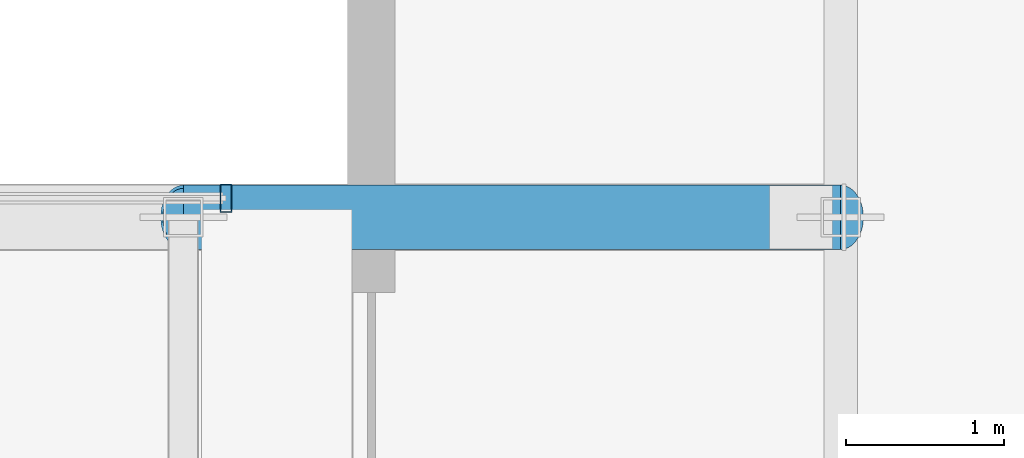
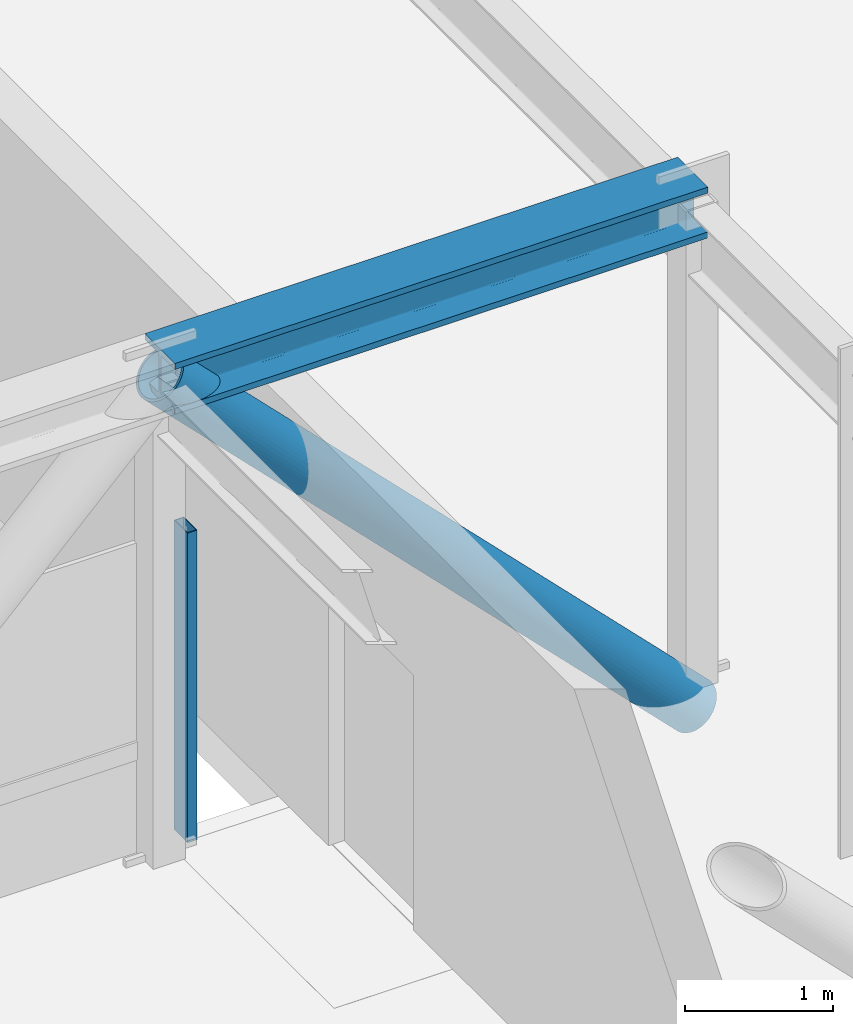
# One storey, part 12 of 42: 3 members, 1 element without a shape of its own.
"""IFC4 building model written with IfcOpenShell, lengths in metres."""

from ifc_helpers import new_model, si_unit, direction, frame, origin, origin_2d, place, context, subcontext, project, spatial, hollow_rectangle, hollow_circle, i_section, extrude, material, material_profile, profile_set, type_object, element, aggregate, save


model = new_model("IFC4")

# Units and contexts
model_context = context("Model", 3, precision=1e-05, world=origin(), true_north=direction((0.0, 1.0)))
body_context = subcontext(model_context, "Body", "Model", "MODEL_VIEW")
ifc_project = project(units=[si_unit("LENGTHUNIT", "METRE"), si_unit("AREAUNIT", "SQUARE_METRE"), si_unit("VOLUMEUNIT", "CUBIC_METRE"), si_unit("PLANEANGLEUNIT", "RADIAN"), si_unit("MASSUNIT", "GRAM", prefix="KILO")], contexts=[model_context])

# Site, building, storey
site_placement = place(None, origin())
site = spatial("IfcSite", under=ifc_project, at=site_placement, CompositionType="ELEMENT")
building_placement = place(site_placement, origin())
building = spatial("IfcBuilding", under=site, at=building_placement, Name="Thornwick Lancets Civic Towers", CompositionType="ELEMENT")
storey_placement = place(building_placement, frame((0.0, 0.0, 221.699951171875)))
storey = spatial("IfcBuildingStorey", under=building, at=storey_placement, Name="L59", CompositionType="ELEMENT", Elevation=221.699951171875)

# Curtain wall, member
ifc_material_1 = material(Name="Skybridge acoustic laminated-glass curtain wall", Category="glass")
curtain_wall_type = type_object("IfcCurtainWallType", Name="CW_SYS_06", PredefinedType="NOTDEFINED", material=ifc_material_1)
curtain_wall_placement = place(storey_placement, origin())
curtain_wall = element("IfcCurtainWall", 1, at=curtain_wall_placement, inside=storey, type_object=curtain_wall_type, Name="L59 Curtain Wall CW-L59-SKYBRIDGE-N", PredefinedType="NOTDEFINED")
ifc_material_2 = material(Name="Thermally broken bronze aluminium S355", Category="steel")
ifc_material_profile_1 = material_profile(ifc_material_2, hollow_rectangle(XDim=0.074951171875, YDim=0.179931640625, WallThickness=0.006103515625, at=origin_2d()), Name="RHS 180x75x6")
ifc_profile_set_1 = profile_set([ifc_material_profile_1], Name="Thermally broken bronze aluminium S355")
member_type_1 = type_object("IfcMemberType", Name="CW_MUL_180", PredefinedType="MULLION", material=ifc_profile_set_1)
member_1_placement = place(storey_placement, frame((63.820068359375, 29.6201171875, 0.0), z_axis=(0.0, 0.0, 1.0), x_axis=(1.0, 0.0, 0.0)))
member_1 = element("IfcMember", 2, at=member_1_placement, type_object=member_type_1, Name="CW-L59-SKYBRIDGE-N Mullion 0", PredefinedType="MULLION", context=body_context, shape_type="SweptSolid", body=[
    extrude(hollow_rectangle(XDim=0.074951171875, YDim=0.179931640625, WallThickness=0.006103515625, at=origin_2d()), origin(), (0.0, 0.0, 1.0), 2.550048828125),
])
aggregate(curtain_wall, [member_1])

# Members
ifc_material_3 = material(Name="Steel S460M", Category="steel")
ifc_material_profile_2 = material_profile(ifc_material_3, i_section(OverallWidth=0.406982421875, OverallDepth=0.4189453125, WebThickness=0.030517578125, FlangeThickness=0.04931640625, FilletRadius=0.01513671875, at=origin_2d()), Name="UKC 356x406x393")
ifc_profile_set_2 = profile_set([ifc_material_profile_2], Name="Steel S460M")
member_type_2 = type_object("IfcMemberType", Name="MEM_BRG_CHORD_393", PredefinedType="CHORD", material=ifc_profile_set_2)
member_2_placement = place(storey_placement, frame((63.550048828125, 29.5, 3.9599609375), z_axis=(1.0, 0.0, 0.0), x_axis=(0.0, 1.0, 0.0)))
element("IfcMember", 3, at=member_2_placement, inside=storey, type_object=member_type_2, Name="L59 Skybridge Top Chord 2-5", PredefinedType="CHORD", context=body_context, shape_type="SweptSolid", body=[
    extrude(i_section(OverallWidth=0.406982421875, OverallDepth=0.4189453125, WebThickness=0.030517578125, FlangeThickness=0.04931640625, FilletRadius=0.01513671875, at=origin_2d()), origin(), (0.0, 0.0, 1.0), 4.14990234375),
])
ifc_material_profile_3 = material_profile(ifc_material_3, hollow_circle(Radius=0.203125, WallThickness=0.02001953125, at=origin_2d()), Name="CHS 406.4x20")
ifc_profile_set_3 = profile_set([ifc_material_profile_3], Name="Steel S460M")
member_type_3 = type_object("IfcMemberType", Name="MEM_BRG_WEB_CHS406", PredefinedType="BRACE", material=ifc_profile_set_3)
member_3_placement = place(storey_placement, frame((63.550048828125, 29.5, 3.9599609375), z_axis=(0.704553062157, 0.0, -0.709651310578), x_axis=(0.0, 1.0, 0.0)))
element("IfcMember", 4, at=member_3_placement, inside=storey, type_object=member_type_3, Name="L59 Skybridge Truss Diagonal 2-5", PredefinedType="BRACE", context=body_context, shape_type="SweptSolid", body=[
    extrude(hollow_circle(Radius=0.203125, WallThickness=0.02001953125, at=origin_2d()), origin(), (0.0, 0.0, 1.0), 5.89013671875),
])

save(model, "model.ifc")
